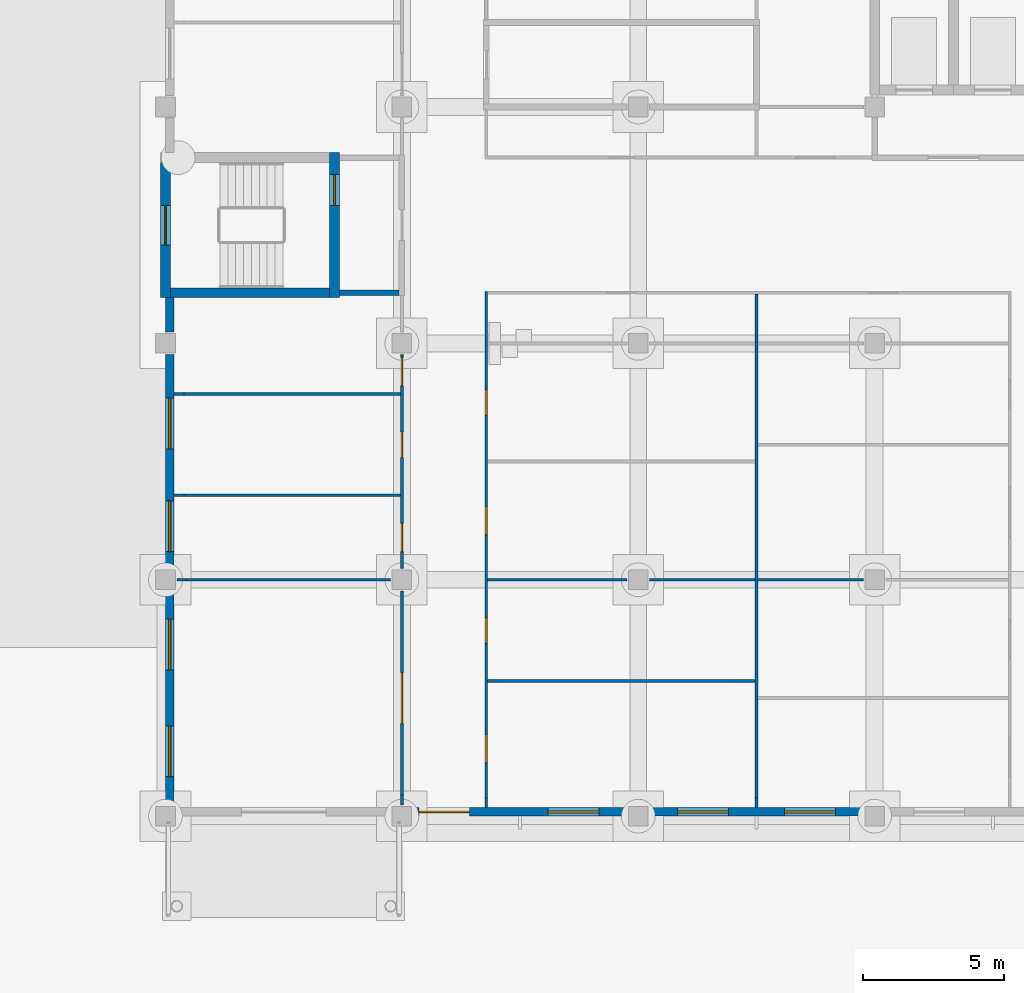
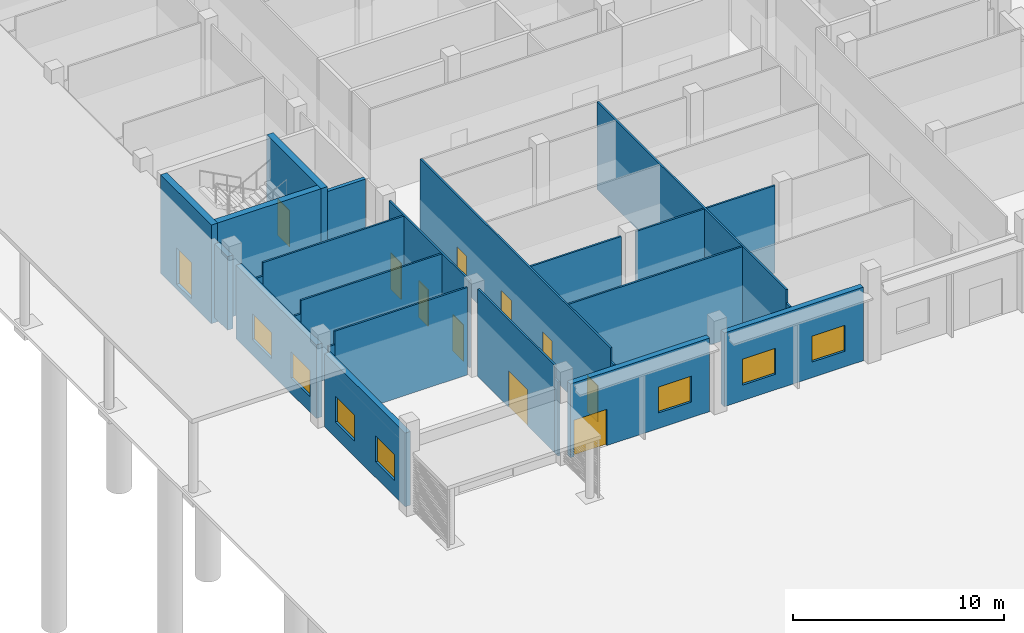
# One storey, part 54 of 146: 26 walls, 11 doors, 7 windows, 18 openings.
"""IFC4 building model written with IfcOpenShell, lengths in metres."""

import ifcopenshell
import ifcopenshell.guid

model = None  # the IFC model being written
_history = None  # IfcOwnerHistory: only IFC2X3 demands one
_inside = {}  # id of a spatial element -> (the spatial element, [elements in it])
_under = {}  # id of a project, library or spatial element -> (it, [spatial elements below it])
_declared = {}  # id of a project -> (the project, [libraries it declares])
_typed = {}  # id of a type object -> (the type object, [elements of that type])
_made_of = {}  # id of a material, layer set ... -> (it, [elements and type objects made of it])


def new_model(schema):
    """Start an empty IFC model of exactly this schema.

    Asked for "IFC4X3", IfcOpenShell would pick the latest addendum, in which some entities
    have other attributes; the version numbers below select the first issue.
    IFC2X3 requires an IfcOwnerHistory on every rooted entity: one is made here for all.
    """
    global model, _history
    if schema == "IFC4X3":
        model = ifcopenshell.file(schema_version=(4, 3, 0, 0))
    else:
        model = ifcopenshell.file(schema=schema)
    _inside.clear()
    _under.clear()
    _declared.clear()
    _typed.clear()
    _made_of.clear()
    _history = None
    if model.schema == "IFC2X3":
        org = make("IfcOrganization", Name="unknown")
        user = make(
            "IfcPersonAndOrganization",
            ThePerson=make("IfcPerson", FamilyName="unknown"),
            TheOrganization=org,
        )
        app = make(
            "IfcApplication",
            ApplicationDeveloper=org,
            Version="unknown",
            ApplicationFullName="unknown",
            ApplicationIdentifier="unknown",
        )
        _history = make(
            "IfcOwnerHistory",
            OwningUser=user,
            OwningApplication=app,
            ChangeAction="ADDED",
            CreationDate=0,
        )
    return model


def make(cls, **values):
    """One entity of the class cls with the attributes given. An attribute that is None is left unset."""
    return model.create_entity(
        cls, **{name: value for name, value in values.items() if value is not None}
    )


def rooted(cls, **values):
    """An entity with a GlobalId (a new one), such as an element, a storey or a relation."""
    return make(cls, GlobalId=ifcopenshell.guid.new(), OwnerHistory=_history, **values)


def si_unit(unit_type, name, prefix=None):
    """IfcSIUnit, for example si_unit("LENGTHUNIT", "METRE", prefix="MILLI")."""
    return make("IfcSIUnit", UnitType=unit_type, Prefix=prefix, Name=name)


def assignment(units):
    """IfcUnitAssignment: the units of a project."""
    return None if units is None else make("IfcUnitAssignment", Units=units)


def point(xyz):
    """IfcCartesianPoint."""
    return None if xyz is None else make("IfcCartesianPoint", Coordinates=xyz)


def direction(xyz):
    """IfcDirection."""
    return None if xyz is None else make("IfcDirection", DirectionRatios=xyz)


def frame(location, z_axis=None, x_axis=None):
    """IfcAxis2Placement3D, a coordinate frame: its origin and axes. An axis left out is left unset."""
    return make(
        "IfcAxis2Placement3D",
        Location=point(location),
        Axis=direction(z_axis),
        RefDirection=direction(x_axis),
    )


def frame_2d(location, x_axis=None):
    """IfcAxis2Placement2D, a coordinate frame in the plane: its origin and x axis."""
    return make(
        "IfcAxis2Placement2D", Location=point(location), RefDirection=direction(x_axis)
    )


def origin():
    """The frame at (0, 0, 0) with its axes left unset."""
    return frame((0.0, 0.0, 0.0))


def place(relative_to, where):
    """IfcLocalPlacement: puts the frame where relative to a parent placement (None: the world)."""
    return make(
        "IfcLocalPlacement", PlacementRelTo=relative_to, RelativePlacement=where
    )


def context(
    kind, dimensions, precision=None, world=None, true_north=None, identifier=None
):
    """IfcGeometricRepresentationContext, for example the 3D "Model" context."""
    return make(
        "IfcGeometricRepresentationContext",
        ContextIdentifier=identifier,
        ContextType=kind,
        CoordinateSpaceDimension=dimensions,
        Precision=precision,
        WorldCoordinateSystem=world,
        TrueNorth=true_north,
    )


def subcontext(parent, identifier, kind, view, scale=None):
    """IfcGeometricRepresentationSubContext, for example "Body" below "Model"."""
    return make(
        "IfcGeometricRepresentationSubContext",
        ContextIdentifier=identifier,
        ContextType=kind,
        ParentContext=parent,
        TargetScale=scale,
        TargetView=view,
    )


def project(units=None, contexts=None):
    """IfcProject with its units and contexts."""
    return rooted(
        "IfcProject",
        Name="project",
        RepresentationContexts=contexts,
        UnitsInContext=assignment(units),
    )


def spatial(cls, under=None, at=None, **own):
    """A site, building, storey or space (cls), placed at a placement, below another one or the project."""
    s = rooted(cls, ObjectPlacement=at, **own)
    if under is not None:
        _under.setdefault(under.id(), (under, []))[1].append(s)
    return s


def profile(cls, at=None, kind="AREA", **sizes):
    """A parametric profile (cls). Its sizes go by their IFC names, for example OverallWidth=200.0."""
    return make(cls, ProfileType=kind, Position=at, **sizes)


def rectangle(**sizes):
    """IfcRectangleProfileDef."""
    return profile("IfcRectangleProfileDef", **sizes)


def extrude(swept, where, along, depth):
    """IfcExtrudedAreaSolid: the profile swept, set in the frame where, extruded along a direction by depth."""
    return make(
        "IfcExtrudedAreaSolid",
        SweptArea=swept,
        Position=where,
        ExtrudedDirection=direction(along),
        Depth=depth,
    )


def shape(context_of_items, identifier, shape_type, items):
    """IfcShapeRepresentation: the items that make up one representation, for example the "Body"."""
    return make(
        "IfcShapeRepresentation",
        ContextOfItems=context_of_items,
        RepresentationIdentifier=identifier,
        RepresentationType=shape_type,
        Items=items,
    )


def material(Name=None, Category=None):
    """IfcMaterial."""
    return make("IfcMaterial", Name=Name, Category=Category)


def layer(
    of_material, thickness, ventilated=None, Name=None, Category=None, Priority=None
):
    """IfcMaterialLayer: one layer of a wall or slab, of a material (None: an air gap)."""
    return make(
        "IfcMaterialLayer",
        Material=of_material,
        LayerThickness=thickness,
        IsVentilated=ventilated,
        Name=Name,
        Category=Category,
        Priority=Priority,
    )


def layer_set(layers, Name=None):
    """IfcMaterialLayerSet."""
    return make("IfcMaterialLayerSet", MaterialLayers=layers, LayerSetName=Name)


def made_of(thing, what):
    """Note that an element or type object is made of a material, layer set ...; save() writes the relation."""
    if what is not None:
        _made_of.setdefault(what.id(), (what, []))[1].append(thing)
    return thing


def type_object(cls, material=None, **own):
    """A type object (cls), such as IfcWallType, which elements share."""
    return made_of(rooted(cls, **own), material)


def element(
    cls,
    number,
    at=None,
    inside=None,
    cuts=None,
    type_object=None,
    material=None,
    context=None,
    identifier="Body",
    shape_type=None,
    held_by="IfcProductDefinitionShape",
    body=None,
    shapes=None,
    **own,
):
    """One element of the class cls, such as IfcWall. Its Tag is "e" and its number.

    at: its placement. inside: the storey or other place that contains it. cuts: it is an
    opening in that element (IfcRelVoidsElement). A single representation is given by context,
    identifier, shape_type and body (its items); several are given by shapes. held_by: the class
    of the entity that holds the representations. save() writes the other relations.
    """
    e = rooted(cls, Tag="e%d" % number, ObjectPlacement=at, **own)
    if body is not None:
        shapes = [shape(context, identifier, shape_type, body)]
    if shapes is not None:
        e.Representation = make(held_by, Representations=shapes)
    if inside is not None:
        _inside.setdefault(inside.id(), (inside, []))[1].append(e)
    if cuts is not None:
        rooted(
            "IfcRelVoidsElement", RelatingBuildingElement=cuts, RelatedOpeningElement=e
        )
    if type_object is not None:
        _typed.setdefault(type_object.id(), (type_object, []))[1].append(e)
    return made_of(e, material)


def fill(opening, filler):
    """IfcRelFillsElement: the door or window that sits in an opening."""
    return rooted(
        "IfcRelFillsElement",
        RelatingOpeningElement=opening,
        RelatedBuildingElement=filler,
    )


def aggregate(whole, parts):
    """IfcRelAggregates: a whole, such as a stair, and the parts it consists of."""
    return rooted("IfcRelAggregates", RelatingObject=whole, RelatedObjects=parts)


def save(model, path):
    """Write the relations noted so far, then the file.

    IfcRelAggregates (storeys below a building ...), IfcRelContainedInSpatialStructure (elements
    in a storey), IfcRelDefinesByType, IfcRelAssociatesMaterial and IfcRelDeclares: one each for
    every whole, place, type object, material and project.
    """
    for whole, parts in _under.values():
        aggregate(whole, parts)
    for where, things in _inside.values():
        rooted(
            "IfcRelContainedInSpatialStructure",
            RelatedElements=things,
            RelatingStructure=where,
        )
    for kind, things in _typed.values():
        rooted("IfcRelDefinesByType", RelatedObjects=things, RelatingType=kind)
    for what, things in _made_of.values():
        rooted("IfcRelAssociatesMaterial", RelatedObjects=things, RelatingMaterial=what)
    for by, libraries in _declared.values():
        rooted("IfcRelDeclares", RelatingContext=by, RelatedDefinitions=libraries)
    model.write(path)


model = new_model("IFC4")

# Units and contexts
model_context = context("Model", 3, precision=1e-05, world=origin(), true_north=direction((0.0, 1.0)))
body_context = subcontext(model_context, "Body", "Model", "MODEL_VIEW")
ifc_project = project(units=[si_unit("LENGTHUNIT", "METRE"), si_unit("AREAUNIT", "SQUARE_METRE"), si_unit("VOLUMEUNIT", "CUBIC_METRE"), si_unit("PLANEANGLEUNIT", "RADIAN"), si_unit("MASSUNIT", "GRAM", prefix="KILO")], contexts=[model_context])

# Site, building, storey
site_placement = place(None, origin())
site = spatial("IfcSite", under=ifc_project, at=site_placement, CompositionType="ELEMENT")
building_placement = place(site_placement, origin())
building = spatial("IfcBuilding", under=site, at=building_placement, Name="Bougainvillea Quay General Hospital", CompositionType="ELEMENT")
storey_placement = place(building_placement, origin())
storey = spatial("IfcBuildingStorey", under=building, at=storey_placement, Name="L00", CompositionType="ELEMENT", Elevation=0.0)

# Wall, openings, windows
ifc_material_1 = material(Name="Pale stone rainscreen cladding on insulated masonry backing, pale stone", Category="masonry")
ifc_layer_1 = layer(ifc_material_1, 0.300048828125)
ifc_layer_set_1 = layer_set([ifc_layer_1], Name="Pale stone rainscreen cladding on insulated masonry backing, pale stone")
wall_type_1 = type_object("IfcWallType", Name="External wall pale stone rainscreen 300", PredefinedType="STANDARD", material=ifc_layer_set_1)
wall_1_placement = place(storey_placement, frame((8.550048828125, 50.0, 0.0), z_axis=(0.0, 0.0, 1.0), x_axis=(0.0, -1.0, 0.0)))
wall_1 = element("IfcWall", 1, at=wall_1_placement, inside=storey, type_object=wall_type_1, Name="External wall wall/V2/L00/p0/02e", PredefinedType="STANDARD", context=body_context, shape_type="SweptSolid", body=[
    extrude(rectangle(XDim=7.60009765625, YDim=0.300048828125, at=frame_2d((3.800048828125, 0.0))), origin(), (0.0, 0.0, 1.0), 4.25),
])
opening_1_placement = place(wall_1_placement, frame((1.550048828125, 0.0, 0.89990234375)))
opening_1 = element("IfcOpeningElement", 2, at=opening_1_placement, cuts=wall_1, Name="Opening W1", PredefinedType="OPENING", context=body_context, shape_type="SweptSolid", body=[
    extrude(rectangle(XDim=1.800048828125, YDim=1.5, at=frame_2d((0.89990234375, 0.75))), frame((0.0, 0.159912109375, 0.0), z_axis=(0.0, -1.0, 0.0), x_axis=(1.0, 0.0, 0.0)), (0.0, 0.0, 1.0), 0.320068359375),
])
opening_2_placement = place(wall_1_placement, frame((5.199951171875, 0.0, 0.89990234375)))
opening_2 = element("IfcOpeningElement", 3, at=opening_2_placement, cuts=wall_1, Name="Opening W1", PredefinedType="OPENING", context=body_context, shape_type="SweptSolid", body=[
    extrude(rectangle(XDim=1.800048828125, YDim=1.5, at=frame_2d((0.89990234375, 0.75))), frame((0.0, 0.159912109375, 0.0), z_axis=(0.0, -1.0, 0.0), x_axis=(1.0, 0.0, 0.0)), (0.0, 0.0, 1.0), 0.320068359375),
])
ifc_material_2 = material(Name="Aluminium window frame with low-e double glazed unit", Category="aluminium")
window_type = type_object("IfcWindowType", Name="Window W1 1800x1500", PartitioningType="DOUBLE_PANEL_VERTICAL", PredefinedType="WINDOW", material=ifc_material_2)
window_1_placement = place(opening_1_placement, origin())
window_1 = element("IfcWindow", 4, at=window_1_placement, inside=storey, type_object=window_type, Name="Window W1 1", OverallHeight=1.5, OverallWidth=1.800048828125, PartitioningType="SINGLE_PANEL", PredefinedType="WINDOW", context=body_context, shape_type="SweptSolid", body=[
    extrude(rectangle(XDim=1.800048828125, YDim=1.5, at=frame_2d((0.89990234375, 0.75))), frame((0.0, 0.030029296875, 0.0), z_axis=(0.0, -1.0, 0.0), x_axis=(1.0, 0.0, 0.0)), (0.0, 0.0, 1.0), 0.06005859375),
])
fill(opening_1, window_1)
window_2_placement = place(opening_2_placement, origin())
window_2 = element("IfcWindow", 5, at=window_2_placement, inside=storey, type_object=window_type, Name="Window W1 2", OverallHeight=1.5, OverallWidth=1.800048828125, PartitioningType="SINGLE_PANEL", PredefinedType="WINDOW", context=body_context, shape_type="SweptSolid", body=[
    extrude(rectangle(XDim=1.800048828125, YDim=1.5, at=frame_2d((0.89990234375, 0.75))), frame((0.0, 0.030029296875, 0.0), z_axis=(0.0, -1.0, 0.0), x_axis=(1.0, 0.0, 0.0)), (0.0, 0.0, 1.0), 0.06005859375),
])
fill(opening_2, window_2)

wall_2_placement = place(storey_placement, frame((8.550048828125, 41.60009765625, 0.0), z_axis=(0.0, 0.0, 1.0), x_axis=(0.0, -1.0, 0.0)))
wall_2 = element("IfcWall", 6, at=wall_2_placement, inside=storey, type_object=wall_type_1, Name="External wall wall/V2/L00/p0/02f", PredefinedType="STANDARD", context=body_context, shape_type="SweptSolid", body=[
    extrude(rectangle(XDim=7.60009765625, YDim=0.300048828125, at=frame_2d((3.800048828125, 0.0))), origin(), (0.0, 0.0, 1.0), 4.25),
])
opening_3_placement = place(wall_2_placement, frame((1.0, 0.0, 0.89990234375)))
opening_3 = element("IfcOpeningElement", 7, at=opening_3_placement, cuts=wall_2, Name="Opening W1", PredefinedType="OPENING", context=body_context, shape_type="SweptSolid", body=[
    extrude(rectangle(XDim=1.800048828125, YDim=1.5, at=frame_2d((0.89990234375, 0.75))), frame((0.0, 0.159912109375, 0.0), z_axis=(0.0, -1.0, 0.0), x_axis=(1.0, 0.0, 0.0)), (0.0, 0.0, 1.0), 0.320068359375),
])
opening_4_placement = place(wall_2_placement, frame((4.800048828125, 0.0, 0.89990234375)))
opening_4 = element("IfcOpeningElement", 8, at=opening_4_placement, cuts=wall_2, Name="Opening W1", PredefinedType="OPENING", context=body_context, shape_type="SweptSolid", body=[
    extrude(rectangle(XDim=1.800048828125, YDim=1.5, at=frame_2d((0.89990234375, 0.75))), frame((0.0, 0.159912109375, 0.0), z_axis=(0.0, -1.0, 0.0), x_axis=(1.0, 0.0, 0.0)), (0.0, 0.0, 1.0), 0.320068359375),
])
window_3_placement = place(opening_3_placement, origin())
window_3 = element("IfcWindow", 9, at=window_3_placement, inside=storey, type_object=window_type, Name="Window W1 1", OverallHeight=1.5, OverallWidth=1.800048828125, PartitioningType="SINGLE_PANEL", PredefinedType="WINDOW", context=body_context, shape_type="SweptSolid", body=[
    extrude(rectangle(XDim=1.800048828125, YDim=1.5, at=frame_2d((0.89990234375, 0.75))), frame((0.0, 0.030029296875, 0.0), z_axis=(0.0, -1.0, 0.0), x_axis=(1.0, 0.0, 0.0)), (0.0, 0.0, 1.0), 0.06005859375),
])
fill(opening_3, window_3)
window_4_placement = place(opening_4_placement, origin())
window_4 = element("IfcWindow", 10, at=window_4_placement, inside=storey, type_object=window_type, Name="Window W1 2", OverallHeight=1.5, OverallWidth=1.800048828125, PartitioningType="SINGLE_PANEL", PredefinedType="WINDOW", context=body_context, shape_type="SweptSolid", body=[
    extrude(rectangle(XDim=1.800048828125, YDim=1.5, at=frame_2d((0.89990234375, 0.75))), frame((0.0, 0.030029296875, 0.0), z_axis=(0.0, -1.0, 0.0), x_axis=(1.0, 0.0, 0.0)), (0.0, 0.0, 1.0), 0.06005859375),
])
fill(opening_4, window_4)

# Wall, openings, door, window
wall_3_placement = place(storey_placement, frame((17.199951171875, 33.75, 0.0), z_axis=(0.0, 0.0, 1.0), x_axis=(1.0, 0.0, 0.0)))
wall_3 = element("IfcWall", 11, at=wall_3_placement, inside=storey, type_object=wall_type_1, Name="External wall wall/V2/L00/p0/03b", PredefinedType="STANDARD", context=body_context, shape_type="SweptSolid", body=[
    extrude(rectangle(XDim=7.60009765625, YDim=0.300048828125, at=frame_2d((3.800048828125, 0.0))), origin(), (0.0, 0.0, 1.0), 4.25),
])
opening_5_placement = place(wall_3_placement, frame((0.199951171875, 0.0, 0.0)))
opening_5 = element("IfcOpeningElement", 12, at=opening_5_placement, cuts=wall_3, Name="Opening L00.319", PredefinedType="OPENING", context=body_context, shape_type="SweptSolid", body=[
    extrude(rectangle(XDim=1.800048828125, YDim=2.10009765625, at=frame_2d((0.89990234375, 1.050048828125))), frame((0.0, 0.159912109375, 0.0), z_axis=(0.0, -1.0, 0.0), x_axis=(1.0, 0.0, 0.0)), (0.0, 0.0, 1.0), 0.320068359375),
])
opening_6_placement = place(wall_3_placement, frame((4.800048828125, 0.0, 0.89990234375)))
opening_6 = element("IfcOpeningElement", 13, at=opening_6_placement, cuts=wall_3, Name="Opening W1", PredefinedType="OPENING", context=body_context, shape_type="SweptSolid", body=[
    extrude(rectangle(XDim=1.800048828125, YDim=1.5, at=frame_2d((0.89990234375, 0.75))), frame((0.0, 0.159912109375, 0.0), z_axis=(0.0, -1.0, 0.0), x_axis=(1.0, 0.0, 0.0)), (0.0, 0.0, 1.0), 0.320068359375),
])
ifc_material_3 = material(Name="Steel door set, painted, with vision panels", Category="steel")
door_type_1 = type_object("IfcDoorType", Name="Escape door 1800x2100", OperationType="DOUBLE_DOOR_SINGLE_SWING", PredefinedType="DOOR", material=ifc_material_3)
door_1_placement = place(opening_5_placement, frame((1.800048828125, 0.0, 0.0), z_axis=(0.0, 0.0, 1.0), x_axis=(-1.0, 0.0, 0.0)))
door_1 = element("IfcDoor", 14, at=door_1_placement, inside=storey, type_object=door_type_1, Name="Escape door 7", OperationType="SINGLE_SWING_LEFT", OverallHeight=2.10009765625, OverallWidth=1.800048828125, PredefinedType="DOOR", context=body_context, shape_type="SweptSolid", body=[
    extrude(rectangle(XDim=1.800048828125, YDim=2.10009765625, at=frame_2d((0.89990234375, 1.050048828125))), frame((0.0, 0.02490234375, 0.0), z_axis=(0.0, -1.0, 0.0), x_axis=(1.0, 0.0, 0.0)), (0.0, 0.0, 1.0), 0.050048828125),
])
fill(opening_5, door_1)
window_5_placement = place(opening_6_placement, origin())
window_5 = element("IfcWindow", 15, at=window_5_placement, inside=storey, type_object=window_type, Name="Window W1 2", OverallHeight=1.5, OverallWidth=1.800048828125, PartitioningType="SINGLE_PANEL", PredefinedType="WINDOW", context=body_context, shape_type="SweptSolid", body=[
    extrude(rectangle(XDim=1.800048828125, YDim=1.5, at=frame_2d((0.89990234375, 0.75))), frame((0.0, 0.030029296875, 0.0), z_axis=(0.0, -1.0, 0.0), x_axis=(1.0, 0.0, 0.0)), (0.0, 0.0, 1.0), 0.06005859375),
])
fill(opening_6, window_5)

# Wall, openings, windows
wall_4_placement = place(storey_placement, frame((25.60009765625, 33.75, 0.0), z_axis=(0.0, 0.0, 1.0), x_axis=(1.0, 0.0, 0.0)))
wall_4 = element("IfcWall", 16, at=wall_4_placement, inside=storey, type_object=wall_type_1, Name="External wall wall/V2/L00/p0/03c", PredefinedType="STANDARD", context=body_context, shape_type="SweptSolid", body=[
    extrude(rectangle(XDim=7.599853515625, YDim=0.300048828125, at=frame_2d((3.7998046875, 0.0))), origin(), (0.0, 0.0, 1.0), 4.25),
])
opening_7_placement = place(wall_4_placement, frame((1.0, 0.0, 0.89990234375)))
opening_7 = element("IfcOpeningElement", 17, at=opening_7_placement, cuts=wall_4, Name="Opening W1", PredefinedType="OPENING", context=body_context, shape_type="SweptSolid", body=[
    extrude(rectangle(XDim=1.800048828125, YDim=1.5, at=frame_2d((0.89990234375, 0.75))), frame((0.0, 0.159912109375, 0.0), z_axis=(0.0, -1.0, 0.0), x_axis=(1.0, 0.0, 0.0)), (0.0, 0.0, 1.0), 0.320068359375),
])
opening_8_placement = place(wall_4_placement, frame((4.800048828125, 0.0, 0.89990234375)))
opening_8 = element("IfcOpeningElement", 18, at=opening_8_placement, cuts=wall_4, Name="Opening W1", PredefinedType="OPENING", context=body_context, shape_type="SweptSolid", body=[
    extrude(rectangle(XDim=1.800048828125, YDim=1.5, at=frame_2d((0.89990234375, 0.75))), frame((0.0, 0.159912109375, 0.0), z_axis=(0.0, -1.0, 0.0), x_axis=(1.0, 0.0, 0.0)), (0.0, 0.0, 1.0), 0.320068359375),
])
window_6_placement = place(opening_7_placement, origin())
window_6 = element("IfcWindow", 19, at=window_6_placement, inside=storey, type_object=window_type, Name="Window W1 1", OverallHeight=1.5, OverallWidth=1.800048828125, PartitioningType="SINGLE_PANEL", PredefinedType="WINDOW", context=body_context, shape_type="SweptSolid", body=[
    extrude(rectangle(XDim=1.800048828125, YDim=1.5, at=frame_2d((0.89990234375, 0.75))), frame((0.0, 0.030029296875, 0.0), z_axis=(0.0, -1.0, 0.0), x_axis=(1.0, 0.0, 0.0)), (0.0, 0.0, 1.0), 0.06005859375),
])
fill(opening_7, window_6)
window_7_placement = place(opening_8_placement, origin())
window_7 = element("IfcWindow", 20, at=window_7_placement, inside=storey, type_object=window_type, Name="Window W1 2", OverallHeight=1.5, OverallWidth=1.800048828125, PartitioningType="SINGLE_PANEL", PredefinedType="WINDOW", context=body_context, shape_type="SweptSolid", body=[
    extrude(rectangle(XDim=1.800048828125, YDim=1.5, at=frame_2d((0.89990234375, 0.75))), frame((0.0, 0.030029296875, 0.0), z_axis=(0.0, -1.0, 0.0), x_axis=(1.0, 0.0, 0.0)), (0.0, 0.0, 1.0), 0.06005859375),
])
fill(opening_8, window_7)

# Wall
ifc_material_4 = material(Name="Terracotta rainscreen cladding on insulated masonry backing, terracotta", Category="masonry")
ifc_layer_2 = layer(ifc_material_4, 0.300048828125)
ifc_layer_set_2 = layer_set([ifc_layer_2], Name="Terracotta rainscreen cladding on insulated masonry backing, terracotta")
wall_type_2 = type_object("IfcWallType", Name="External wall terracotta rainscreen 300", PredefinedType="STANDARD", material=ifc_layer_set_2)
wall_5_placement = place(storey_placement, frame((8.550048828125, 52.02490234375, 0.0), z_axis=(0.0, 0.0, 1.0), x_axis=(0.0, -1.0, 0.0)))
element("IfcWall", 21, at=wall_5_placement, inside=storey, type_object=wall_type_2, Name="External wall wall/V2/L00/p0/02d", PredefinedType="STANDARD", context=body_context, shape_type="SweptSolid", body=[
    extrude(rectangle(XDim=1.224853515625, YDim=0.300048828125, at=frame_2d((0.6123046875, 0.0))), origin(), (0.0, 0.0, 1.0), 4.25),
])

# Wall, openings, doors
ifc_material_5 = material(Name="Gypsum board partition on steel studs", Category="steel")
ifc_layer_3 = layer(ifc_material_5, 0.10009765625)
ifc_layer_set_3 = layer_set([ifc_layer_3], Name="Gypsum board partition on steel studs")
wall_type_3 = type_object("IfcWallType", Name="Partition 100 Gypsum board partition", PredefinedType="PARTITIONING", material=ifc_layer_set_3)
wall_6_placement = place(storey_placement, frame((16.800048828125, 50.0, 0.0), z_axis=(0.0, 0.0, 1.0), x_axis=(0.0, -1.0, 0.0)))
wall_6 = element("IfcWall", 22, at=wall_6_placement, inside=storey, type_object=wall_type_3, Name="Partition 100 mm", PredefinedType="PARTITIONING", context=body_context, shape_type="SweptSolid", body=[
    extrude(rectangle(XDim=7.60009765625, YDim=0.10009765625, at=frame_2d((3.800048828125, 0.0))), origin(), (0.0, 0.0, 1.0), 5.050048828125),
])
opening_9_placement = place(wall_6_placement, frame((0.10009765625, 0.0, 0.0)))
opening_9 = element("IfcOpeningElement", 23, at=opening_9_placement, cuts=wall_6, Name="Opening L00.060", PredefinedType="OPENING", context=body_context, shape_type="SweptSolid", body=[
    extrude(rectangle(XDim=1.0, YDim=2.10009765625, at=frame_2d((0.5, 1.050048828125))), frame((0.0, 0.06005859375, 0.0), z_axis=(0.0, -1.0, 0.0), x_axis=(1.0, 0.0, 0.0)), (0.0, 0.0, 1.0), 0.1201171875),
])
opening_10_placement = place(wall_6_placement, frame((2.75, 0.0, 0.0)))
opening_10 = element("IfcOpeningElement", 24, at=opening_10_placement, cuts=wall_6, Name="Opening L00.061", PredefinedType="OPENING", context=body_context, shape_type="SweptSolid", body=[
    extrude(rectangle(XDim=0.89990234375, YDim=2.10009765625, at=frame_2d((0.449951171875, 1.050048828125))), frame((0.0, 0.06005859375, 0.0), z_axis=(0.0, -1.0, 0.0), x_axis=(1.0, 0.0, 0.0)), (0.0, 0.0, 1.0), 0.1201171875),
])
opening_11_placement = place(wall_6_placement, frame((6.0, 0.0, 0.0)))
opening_11 = element("IfcOpeningElement", 25, at=opening_11_placement, cuts=wall_6, Name="Opening L00.062", PredefinedType="OPENING", context=body_context, shape_type="SweptSolid", body=[
    extrude(rectangle(XDim=1.0, YDim=2.10009765625, at=frame_2d((0.5, 1.050048828125))), frame((0.0, 0.06005859375, 0.0), z_axis=(0.0, -1.0, 0.0), x_axis=(1.0, 0.0, 0.0)), (0.0, 0.0, 1.0), 0.1201171875),
])
ifc_material_6 = material(Name="Solid-core timber door leaf in steel frame", Category="steel")
door_type_2 = type_object("IfcDoorType", Name="Single leaf door 1000x2100", OperationType="NOTDEFINED", PredefinedType="DOOR", material=ifc_material_6)
door_2_placement = place(opening_9_placement, frame((1.0, 0.0, 0.0), z_axis=(0.0, 0.0, 1.0), x_axis=(-1.0, 0.0, 0.0)))
door_2 = element("IfcDoor", 26, at=door_2_placement, inside=storey, type_object=door_type_2, Name="DT06 L00.060", OperationType="SINGLE_SWING_RIGHT", OverallHeight=2.10009765625, OverallWidth=1.0, PredefinedType="DOOR", context=body_context, shape_type="SweptSolid", body=[
    extrude(rectangle(XDim=1.0, YDim=2.10009765625, at=frame_2d((0.5, 1.050048828125))), frame((0.0, 0.02490234375, 0.0), z_axis=(0.0, -1.0, 0.0), x_axis=(1.0, 0.0, 0.0)), (0.0, 0.0, 1.0), 0.050048828125),
])
fill(opening_9, door_2)
door_3_placement = place(opening_11_placement, frame((1.0, 0.0, 0.0), z_axis=(0.0, 0.0, 1.0), x_axis=(-1.0, 0.0, 0.0)))
door_3 = element("IfcDoor", 27, at=door_3_placement, inside=storey, type_object=door_type_2, Name="DT06 L00.062", OperationType="SINGLE_SWING_LEFT", OverallHeight=2.10009765625, OverallWidth=1.0, PredefinedType="DOOR", context=body_context, shape_type="SweptSolid", body=[
    extrude(rectangle(XDim=1.0, YDim=2.10009765625, at=frame_2d((0.5, 1.050048828125))), frame((0.0, 0.02490234375, 0.0), z_axis=(0.0, -1.0, 0.0), x_axis=(1.0, 0.0, 0.0)), (0.0, 0.0, 1.0), 0.050048828125),
])
fill(opening_11, door_3)
door_type_3 = type_object("IfcDoorType", Name="Single leaf door 900x2100", OperationType="NOTDEFINED", PredefinedType="DOOR", material=ifc_material_6)
door_4_placement = place(opening_10_placement, frame((0.89990234375, 0.0, 0.0), z_axis=(0.0, 0.0, 1.0), x_axis=(-1.0, 0.0, 0.0)))
door_4 = element("IfcDoor", 28, at=door_4_placement, inside=storey, type_object=door_type_3, Name="DT07 L00.061", OperationType="SINGLE_SWING_RIGHT", OverallHeight=2.10009765625, OverallWidth=0.89990234375, PredefinedType="DOOR", context=body_context, shape_type="SweptSolid", body=[
    extrude(rectangle(XDim=0.89990234375, YDim=2.10009765625, at=frame_2d((0.449951171875, 1.050048828125))), frame((0.0, 0.02490234375, 0.0), z_axis=(0.0, -1.0, 0.0), x_axis=(1.0, 0.0, 0.0)), (0.0, 0.0, 1.0), 0.050048828125),
])
fill(opening_10, door_4)

# Wall, opening, door
wall_7_placement = place(storey_placement, frame((16.800048828125, 41.60009765625, 0.0), z_axis=(0.0, 0.0, 1.0), x_axis=(0.0, -1.0, 0.0)))
wall_7 = element("IfcWall", 29, at=wall_7_placement, inside=storey, type_object=wall_type_3, Name="Partition 100 mm", PredefinedType="PARTITIONING", context=body_context, shape_type="SweptSolid", body=[
    extrude(rectangle(XDim=7.25, YDim=0.10009765625, at=frame_2d((3.625, 0.0))), origin(), (0.0, 0.0, 1.0), 5.050048828125),
])
opening_12_placement = place(wall_7_placement, frame((2.89990234375, 0.0, 0.0)))
opening_12 = element("IfcOpeningElement", 30, at=opening_12_placement, cuts=wall_7, Name="Opening L00.063", PredefinedType="OPENING", context=body_context, shape_type="SweptSolid", body=[
    extrude(rectangle(XDim=1.800048828125, YDim=2.10009765625, at=frame_2d((0.89990234375, 1.050048828125))), frame((0.0, 0.06005859375, 0.0), z_axis=(0.0, -1.0, 0.0), x_axis=(1.0, 0.0, 0.0)), (0.0, 0.0, 1.0), 0.1201171875),
])
ifc_material_7 = material(Name="Solid-core timber door leaves in steel frame", Category="steel")
door_type_4 = type_object("IfcDoorType", Name="Double leaf door 1800x2100", OperationType="DOUBLE_DOOR_SINGLE_SWING", PredefinedType="DOOR", material=ifc_material_7)
door_5_placement = place(opening_12_placement, frame((1.800048828125, 0.0, 0.0), z_axis=(0.0, 0.0, 1.0), x_axis=(-1.0, 0.0, 0.0)))
door_5 = element("IfcDoor", 31, at=door_5_placement, inside=storey, type_object=door_type_4, Name="DT08 L00.063", OperationType="DOUBLE_DOOR_SINGLE_SWING", OverallHeight=2.10009765625, OverallWidth=1.800048828125, PredefinedType="DOOR", context=body_context, shape_type="SweptSolid", body=[
    extrude(rectangle(XDim=1.800048828125, YDim=2.10009765625, at=frame_2d((0.89990234375, 1.050048828125))), frame((0.0, 0.02490234375, 0.0), z_axis=(0.0, -1.0, 0.0), x_axis=(1.0, 0.0, 0.0)), (0.0, 0.0, 1.0), 0.050048828125),
])
fill(opening_12, door_5)

# Wall
wall_8_placement = place(storey_placement, frame((16.800048828125, 34.35009765625, 0.0), z_axis=(0.0, 0.0, 1.0), x_axis=(0.0, -1.0, 0.0)))
element("IfcWall", 32, at=wall_8_placement, inside=storey, type_object=wall_type_3, Name="Partition 100 mm", PredefinedType="PARTITIONING", context=body_context, shape_type="SweptSolid", body=[
    extrude(rectangle(XDim=0.35009765625, YDim=0.10009765625, at=frame_2d((0.175048828125, 0.0))), origin(), (0.0, 0.0, 1.0), 4.280029296875),
])

# Wall, openings, doors
wall_9_placement = place(storey_placement, frame((19.800048828125, 52.25, 0.0), z_axis=(0.0, 0.0, 1.0), x_axis=(0.0, -1.0, 0.0)))
wall_9 = element("IfcWall", 33, at=wall_9_placement, inside=storey, type_object=wall_type_3, Name="Partition 100 mm", PredefinedType="PARTITIONING", context=body_context, shape_type="SweptSolid", body=[
    extrude(rectangle(XDim=18.0, YDim=0.10009765625, at=frame_2d((9.0, 0.0))), origin(), (0.0, 0.0, 1.0), 5.050048828125),
])
opening_13_placement = place(wall_9_placement, frame((3.5, 0.0, 0.0)))
opening_13 = element("IfcOpeningElement", 34, at=opening_13_placement, cuts=wall_9, Name="Opening L00.065", PredefinedType="OPENING", context=body_context, shape_type="SweptSolid", body=[
    extrude(rectangle(XDim=0.89990234375, YDim=2.10009765625, at=frame_2d((0.449951171875, 1.050048828125))), frame((0.0, 0.06005859375, 0.0), z_axis=(0.0, -1.0, 0.0), x_axis=(1.0, 0.0, 0.0)), (0.0, 0.0, 1.0), 0.1201171875),
])
opening_14_placement = place(wall_9_placement, frame((7.64990234375, 0.0, 0.0)))
opening_14 = element("IfcOpeningElement", 35, at=opening_14_placement, cuts=wall_9, Name="Opening L00.066", PredefinedType="OPENING", context=body_context, shape_type="SweptSolid", body=[
    extrude(rectangle(XDim=1.0, YDim=2.10009765625, at=frame_2d((0.5, 1.050048828125))), frame((0.0, 0.06005859375, 0.0), z_axis=(0.0, -1.0, 0.0), x_axis=(1.0, 0.0, 0.0)), (0.0, 0.0, 1.0), 0.1201171875),
])
opening_15_placement = place(wall_9_placement, frame((11.60009765625, 0.0, 0.0)))
opening_15 = element("IfcOpeningElement", 36, at=opening_15_placement, cuts=wall_9, Name="Opening L00.067", PredefinedType="OPENING", context=body_context, shape_type="SweptSolid", body=[
    extrude(rectangle(XDim=0.89990234375, YDim=2.10009765625, at=frame_2d((0.449951171875, 1.050048828125))), frame((0.0, 0.06005859375, 0.0), z_axis=(0.0, -1.0, 0.0), x_axis=(1.0, 0.0, 0.0)), (0.0, 0.0, 1.0), 0.1201171875),
])
opening_16_placement = place(wall_9_placement, frame((15.75, 0.0, 0.0)))
opening_16 = element("IfcOpeningElement", 37, at=opening_16_placement, cuts=wall_9, Name="Opening L00.068", PredefinedType="OPENING", context=body_context, shape_type="SweptSolid", body=[
    extrude(rectangle(XDim=1.0, YDim=2.10009765625, at=frame_2d((0.5, 1.050048828125))), frame((0.0, 0.06005859375, 0.0), z_axis=(0.0, -1.0, 0.0), x_axis=(1.0, 0.0, 0.0)), (0.0, 0.0, 1.0), 0.1201171875),
])
door_6_placement = place(opening_14_placement, origin())
door_6 = element("IfcDoor", 38, at=door_6_placement, inside=storey, type_object=door_type_2, Name="DT06 L00.066", OperationType="SINGLE_SWING_LEFT", OverallHeight=2.10009765625, OverallWidth=1.0, PredefinedType="DOOR", context=body_context, shape_type="SweptSolid", body=[
    extrude(rectangle(XDim=1.0, YDim=2.10009765625, at=frame_2d((0.5, 1.050048828125))), frame((0.0, 0.02490234375, 0.0), z_axis=(0.0, -1.0, 0.0), x_axis=(1.0, 0.0, 0.0)), (0.0, 0.0, 1.0), 0.050048828125),
])
fill(opening_14, door_6)
door_7_placement = place(opening_16_placement, origin())
door_7 = element("IfcDoor", 39, at=door_7_placement, inside=storey, type_object=door_type_2, Name="DT06 L00.068", OperationType="SINGLE_SWING_RIGHT", OverallHeight=2.10009765625, OverallWidth=1.0, PredefinedType="DOOR", context=body_context, shape_type="SweptSolid", body=[
    extrude(rectangle(XDim=1.0, YDim=2.10009765625, at=frame_2d((0.5, 1.050048828125))), frame((0.0, 0.02490234375, 0.0), z_axis=(0.0, -1.0, 0.0), x_axis=(1.0, 0.0, 0.0)), (0.0, 0.0, 1.0), 0.050048828125),
])
fill(opening_16, door_7)
door_8_placement = place(opening_13_placement, origin())
door_8 = element("IfcDoor", 40, at=door_8_placement, inside=storey, type_object=door_type_3, Name="DT07 L00.065", OperationType="SINGLE_SWING_LEFT", OverallHeight=2.10009765625, OverallWidth=0.89990234375, PredefinedType="DOOR", context=body_context, shape_type="SweptSolid", body=[
    extrude(rectangle(XDim=0.89990234375, YDim=2.10009765625, at=frame_2d((0.449951171875, 1.050048828125))), frame((0.0, 0.02490234375, 0.0), z_axis=(0.0, -1.0, 0.0), x_axis=(1.0, 0.0, 0.0)), (0.0, 0.0, 1.0), 0.050048828125),
])
fill(opening_13, door_8)
door_9_placement = place(opening_15_placement, origin())
door_9 = element("IfcDoor", 41, at=door_9_placement, inside=storey, type_object=door_type_3, Name="DT07 L00.067", OperationType="SINGLE_SWING_RIGHT", OverallHeight=2.10009765625, OverallWidth=0.89990234375, PredefinedType="DOOR", context=body_context, shape_type="SweptSolid", body=[
    extrude(rectangle(XDim=0.89990234375, YDim=2.10009765625, at=frame_2d((0.449951171875, 1.050048828125))), frame((0.0, 0.02490234375, 0.0), z_axis=(0.0, -1.0, 0.0), x_axis=(1.0, 0.0, 0.0)), (0.0, 0.0, 1.0), 0.050048828125),
])
fill(opening_15, door_9)

# Walls
wall_10_placement = place(storey_placement, frame((19.800048828125, 34.25, 0.0), z_axis=(0.0, 0.0, 1.0), x_axis=(0.0, -1.0, 0.0)))
element("IfcWall", 42, at=wall_10_placement, inside=storey, type_object=wall_type_3, Name="Partition 100 mm", PredefinedType="PARTITIONING", context=body_context, shape_type="SweptSolid", body=[
    extrude(rectangle(XDim=0.35009765625, YDim=0.10009765625, at=frame_2d((0.175048828125, 0.0))), origin(), (0.0, 0.0, 1.0), 4.280029296875),
])
wall_11_placement = place(storey_placement, frame((29.39990234375, 52.14990234375, 0.0), z_axis=(0.0, 0.0, 1.0), x_axis=(0.0, -1.0, 0.0)))
element("IfcWall", 43, at=wall_11_placement, inside=storey, type_object=wall_type_3, Name="Partition 100 mm", PredefinedType="PARTITIONING", context=body_context, shape_type="SweptSolid", body=[
    extrude(rectangle(XDim=17.89990234375, YDim=0.10009765625, at=frame_2d((8.949951171875, 0.0))), origin(), (0.0, 0.0, 1.0), 5.050048828125),
])
wall_12_placement = place(storey_placement, frame((29.39990234375, 34.25, 0.0), z_axis=(0.0, 0.0, 1.0), x_axis=(0.0, -1.0, 0.0)))
element("IfcWall", 44, at=wall_12_placement, inside=storey, type_object=wall_type_3, Name="Partition 100 mm", PredefinedType="PARTITIONING", context=body_context, shape_type="SweptSolid", body=[
    extrude(rectangle(XDim=0.35009765625, YDim=0.10009765625, at=frame_2d((0.175048828125, 0.0))), origin(), (0.0, 0.0, 1.0), 4.280029296875),
])
wall_13_placement = place(storey_placement, frame((19.85009765625, 42.0, 0.0), z_axis=(0.0, 0.0, 1.0), x_axis=(1.0, 0.0, 0.0)))
element("IfcWall", 45, at=wall_13_placement, inside=storey, type_object=wall_type_3, Name="Partition 100 mm", PredefinedType="PARTITIONING", context=body_context, shape_type="SweptSolid", body=[
    extrude(rectangle(XDim=4.949951171875, YDim=0.10009765625, at=frame_2d((2.47509765625, 0.0))), origin(), (0.0, 0.0, 1.0), 5.050048828125),
])
for number, where, z_axis, x_axis, name in (
    (46, (25.60009765625, 42.0, 0.0), (0.0, 0.0, 1.0), (1.0, 0.0, 0.0), "Partition 100 mm"),
    (47, (29.449951171875, 42.0, 0.0), (0.0, 0.0, 1.0), (1.0, 0.0, 0.0), "Partition 100 mm"),
):
    element("IfcWall", number, at=place(storey_placement, frame(where, z_axis=z_axis, x_axis=x_axis)), inside=storey, type_object=wall_type_3, Name=name, PredefinedType="PARTITIONING", context=body_context, shape_type="SweptSolid", body=[
        extrude(rectangle(XDim=3.75, YDim=0.10009765625, at=frame_2d((1.875, 0.0))), origin(), (0.0, 0.0, 1.0), 5.050048828125),
    ])
wall_14_placement = place(storey_placement, frame((19.85009765625, 38.39990234375, 0.0), z_axis=(0.0, 0.0, 1.0), x_axis=(1.0, 0.0, 0.0)))
element("IfcWall", 48, at=wall_14_placement, inside=storey, type_object=wall_type_3, Name="Partition 100 mm", PredefinedType="PARTITIONING", context=body_context, shape_type="SweptSolid", body=[
    extrude(rectangle(XDim=9.5, YDim=0.10009765625, at=frame_2d((4.75, 0.0))), origin(), (0.0, 0.0, 1.0), 5.050048828125),
])
wall_15_placement = place(storey_placement, frame((8.800048828125, 42.0, 0.0), z_axis=(0.0, 0.0, 1.0), x_axis=(1.0, 0.0, 0.0)))
element("IfcWall", 49, at=wall_15_placement, inside=storey, type_object=wall_type_3, Name="Partition 100 mm", PredefinedType="PARTITIONING", context=body_context, shape_type="SweptSolid", body=[
    extrude(rectangle(XDim=0.349853515625, YDim=0.10009765625, at=frame_2d((0.1748046875, 0.0))), origin(), (0.0, 0.0, 1.0), 4.280029296875),
])
wall_16_placement = place(storey_placement, frame((9.14990234375, 42.0, 0.0), z_axis=(0.0, 0.0, 1.0), x_axis=(1.0, 0.0, 0.0)))
element("IfcWall", 50, at=wall_16_placement, inside=storey, type_object=wall_type_3, Name="Partition 100 mm", PredefinedType="PARTITIONING", context=body_context, shape_type="SweptSolid", body=[
    extrude(rectangle(XDim=7.25, YDim=0.10009765625, at=frame_2d((3.625, 0.0))), origin(), (0.0, 0.0, 1.0), 5.050048828125),
])
wall_17_placement = place(storey_placement, frame((8.699951171875, 45.0, 0.0), z_axis=(0.0, 0.0, 1.0), x_axis=(1.0, 0.0, 0.0)))
element("IfcWall", 51, at=wall_17_placement, inside=storey, type_object=wall_type_3, Name="Partition 100 mm", PredefinedType="PARTITIONING", context=body_context, shape_type="SweptSolid", body=[
    extrude(rectangle(XDim=0.35009765625, YDim=0.10009765625, at=frame_2d((0.175048828125, 0.0))), origin(), (0.0, 0.0, 1.0), 4.280029296875),
])
wall_18_placement = place(storey_placement, frame((9.050048828125, 45.0, 0.0), z_axis=(0.0, 0.0, 1.0), x_axis=(1.0, 0.0, 0.0)))
element("IfcWall", 52, at=wall_18_placement, inside=storey, type_object=wall_type_3, Name="Partition 100 mm", PredefinedType="PARTITIONING", context=body_context, shape_type="SweptSolid", body=[
    extrude(rectangle(XDim=7.699951171875, YDim=0.10009765625, at=frame_2d((3.85009765625, 0.0))), origin(), (0.0, 0.0, 1.0), 5.050048828125),
])
wall_19_placement = place(storey_placement, frame((8.699951171875, 48.60009765625, 0.0), z_axis=(0.0, 0.0, 1.0), x_axis=(1.0, 0.0, 0.0)))
element("IfcWall", 53, at=wall_19_placement, inside=storey, type_object=wall_type_3, Name="Partition 100 mm", PredefinedType="PARTITIONING", context=body_context, shape_type="SweptSolid", body=[
    extrude(rectangle(XDim=0.35009765625, YDim=0.10009765625, at=frame_2d((0.175048828125, 0.0))), origin(), (0.0, 0.0, 1.0), 4.280029296875),
])
wall_20_placement = place(storey_placement, frame((9.050048828125, 48.60009765625, 0.0), z_axis=(0.0, 0.0, 1.0), x_axis=(1.0, 0.0, 0.0)))
element("IfcWall", 54, at=wall_20_placement, inside=storey, type_object=wall_type_3, Name="Partition 100 mm", PredefinedType="PARTITIONING", context=body_context, shape_type="SweptSolid", body=[
    extrude(rectangle(XDim=7.699951171875, YDim=0.10009765625, at=frame_2d((3.85009765625, 0.0))), origin(), (0.0, 0.0, 1.0), 5.050048828125),
])
ifc_material_8 = material(Name="Fire-rated autoclaved aerated block wall, plastered")
ifc_layer_4 = layer(ifc_material_8, 0.199951171875)
ifc_layer_set_4 = layer_set([ifc_layer_4], Name="Fire-rated autoclaved aerated block wall, plastered")
wall_type_4 = type_object("IfcWallType", Name="Partition 200 Fire-rated autoclaved aerated block wall EI 120", PredefinedType="SOLIDWALL", material=ifc_layer_set_4)
wall_21_placement = place(storey_placement, frame((14.574951171875, 52.199951171875, 0.0), z_axis=(0.0, 0.0, 1.0), x_axis=(1.0, 0.0, 0.0)))
element("IfcWall", 55, at=wall_21_placement, inside=storey, type_object=wall_type_4, Name="Partition 200 mm EI 120", PredefinedType="SOLIDWALL", context=body_context, shape_type="SweptSolid", body=[
    extrude(rectangle(XDim=2.125, YDim=0.199951171875, at=frame_2d((1.0625, 0.0))), origin(), (0.0, 0.0, 1.0), 5.050048828125),
])

# Wall, opening, door
ifc_material_9 = material(Name="Concrete C40", Category="concrete")
ifc_layer_5 = layer(ifc_material_9, 0.35009765625)
ifc_layer_set_5 = layer_set([ifc_layer_5], Name="Concrete C40")
wall_type_5 = type_object("IfcWallType", Name="RC SHEAR WALL 350 C40", PredefinedType="SHEAR", material=ifc_layer_set_5)
wall_22_placement = place(storey_placement, frame((8.39990234375, 52.02490234375, -0.300048828125), z_axis=(0.0, 0.0, 1.0), x_axis=(0.0, 1.0, 0.0)))
wall_22 = element("IfcWall", 56, at=wall_22_placement, inside=storey, type_object=wall_type_5, Name="Shear wall L00", PredefinedType="SHEAR", context=body_context, shape_type="SweptSolid", body=[
    extrude(rectangle(XDim=4.800048828125, YDim=0.35009765625, at=frame_2d((2.39990234375, 0.0))), origin(), (0.0, 0.0, 1.0), 5.699951171875),
])
opening_17_placement = place(wall_22_placement, frame((1.875, 0.0, 0.300048828125)))
opening_17 = element("IfcOpeningElement", 57, at=opening_17_placement, cuts=wall_22, Name="Opening L00.331", PredefinedType="OPENING", context=body_context, shape_type="SweptSolid", body=[
    extrude(rectangle(XDim=1.39990234375, YDim=2.10009765625, at=frame_2d((0.699951171875, 1.050048828125))), frame((0.0, 0.18505859375, 0.0), z_axis=(0.0, -1.0, 0.0), x_axis=(1.0, 0.0, 0.0)), (0.0, 0.0, 1.0), 0.3701171875),
])
ifc_material_10 = material(Name="Steel door leaf, painted, with vision panel", Category="steel")
door_type_5 = type_object("IfcDoorType", Name="Stair discharge door 1400x2100", OperationType="SINGLE_SWING_LEFT", PredefinedType="DOOR", material=ifc_material_10)
door_10_placement = place(opening_17_placement, origin())
door_10 = element("IfcDoor", 58, at=door_10_placement, inside=storey, type_object=door_type_5, Name="Stair discharge door ST-U1", OperationType="SINGLE_SWING_LEFT", OverallHeight=2.10009765625, OverallWidth=1.39990234375, PredefinedType="DOOR", context=body_context, shape_type="SweptSolid", body=[
    extrude(rectangle(XDim=1.39990234375, YDim=2.10009765625, at=frame_2d((0.699951171875, 1.050048828125))), frame((0.0, 0.02490234375, 0.0), z_axis=(0.0, -1.0, 0.0), x_axis=(1.0, 0.0, 0.0)), (0.0, 0.0, 1.0), 0.050048828125),
])
fill(opening_17, door_10)

# Wall
wall_23_placement = place(storey_placement, frame((8.574951171875, 52.199951171875, -0.300048828125), z_axis=(0.0, 0.0, 1.0), x_axis=(1.0, 0.0, 0.0)))
element("IfcWall", 59, at=wall_23_placement, inside=storey, type_object=wall_type_5, Name="Shear wall L00", PredefinedType="SHEAR", context=body_context, shape_type="SweptSolid", body=[
    extrude(rectangle(XDim=5.650146484375, YDim=0.35009765625, at=frame_2d((2.8251953125, 0.0))), origin(), (0.0, 0.0, 1.0), 5.699951171875),
])

# Wall, opening, door
wall_24_placement = place(storey_placement, frame((14.39990234375, 52.02490234375, -0.300048828125), z_axis=(0.0, 0.0, 1.0), x_axis=(0.0, 1.0, 0.0)))
wall_24 = element("IfcWall", 60, at=wall_24_placement, inside=storey, type_object=wall_type_5, Name="Shear wall L00", PredefinedType="SHEAR", context=body_context, shape_type="SweptSolid", body=[
    extrude(rectangle(XDim=5.150146484375, YDim=0.35009765625, at=frame_2d((2.5751953125, 0.0))), origin(), (0.0, 0.0, 1.0), 5.699951171875),
])
opening_18_placement = place(wall_24_placement, frame((3.27490234375, 0.0, 0.300048828125)))
opening_18 = element("IfcOpeningElement", 61, at=opening_18_placement, cuts=wall_24, Name="Opening L00.031", PredefinedType="OPENING", context=body_context, shape_type="SweptSolid", body=[
    extrude(rectangle(XDim=1.10009765625, YDim=2.10009765625, at=frame_2d((0.550048828125, 1.050048828125))), frame((0.0, 0.18505859375, 0.0), z_axis=(0.0, -1.0, 0.0), x_axis=(1.0, 0.0, 0.0)), (0.0, 0.0, 1.0), 0.3701171875),
])
ifc_material_11 = material(Name="Steel fire door leaf in steel frame", Category="steel")
door_type_6 = type_object("IfcDoorType", Name="Steel single leaf door 1100x2100 FD60", OperationType="NOTDEFINED", PredefinedType="DOOR", material=ifc_material_11)
door_11_placement = place(opening_18_placement, origin())
door_11 = element("IfcDoor", 62, at=door_11_placement, inside=storey, type_object=door_type_6, Name="DT04 L00.031", OperationType="SINGLE_SWING_RIGHT", OverallHeight=2.10009765625, OverallWidth=1.10009765625, PredefinedType="DOOR", context=body_context, shape_type="SweptSolid", body=[
    extrude(rectangle(XDim=1.10009765625, YDim=2.10009765625, at=frame_2d((0.550048828125, 1.050048828125))), frame((0.0, 0.02490234375, 0.0), z_axis=(0.0, -1.0, 0.0), x_axis=(1.0, 0.0, 0.0)), (0.0, 0.0, 1.0), 0.050048828125),
])
fill(opening_18, door_11)

save(model, "model.ifc")
